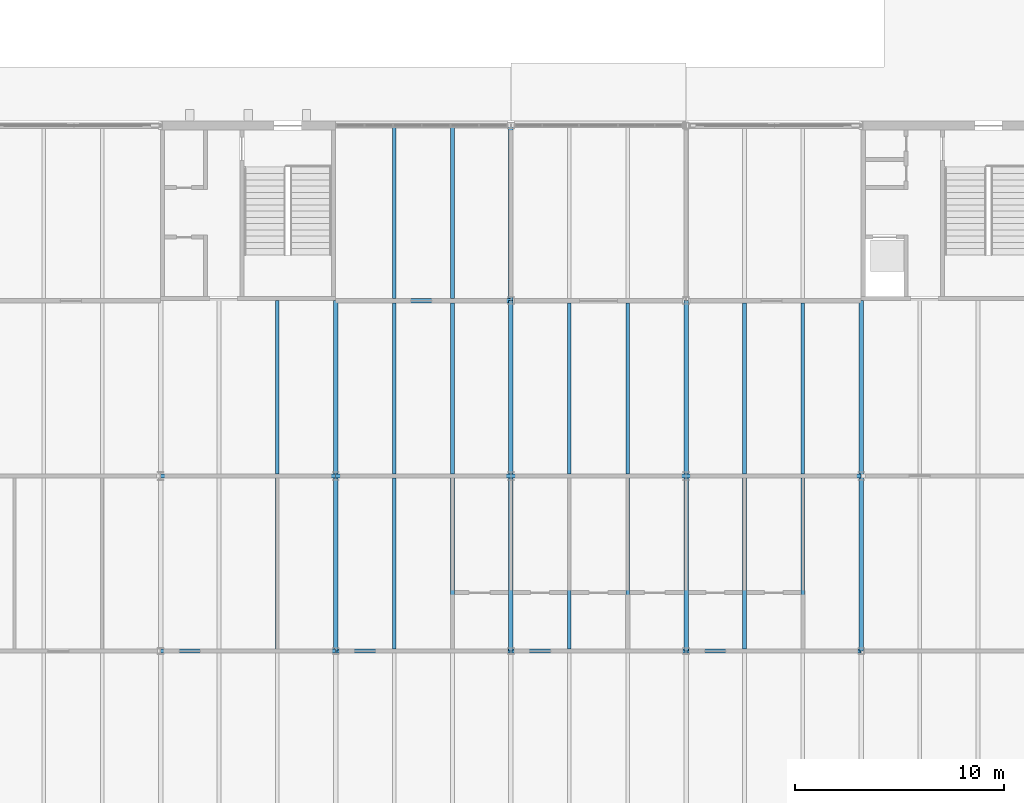
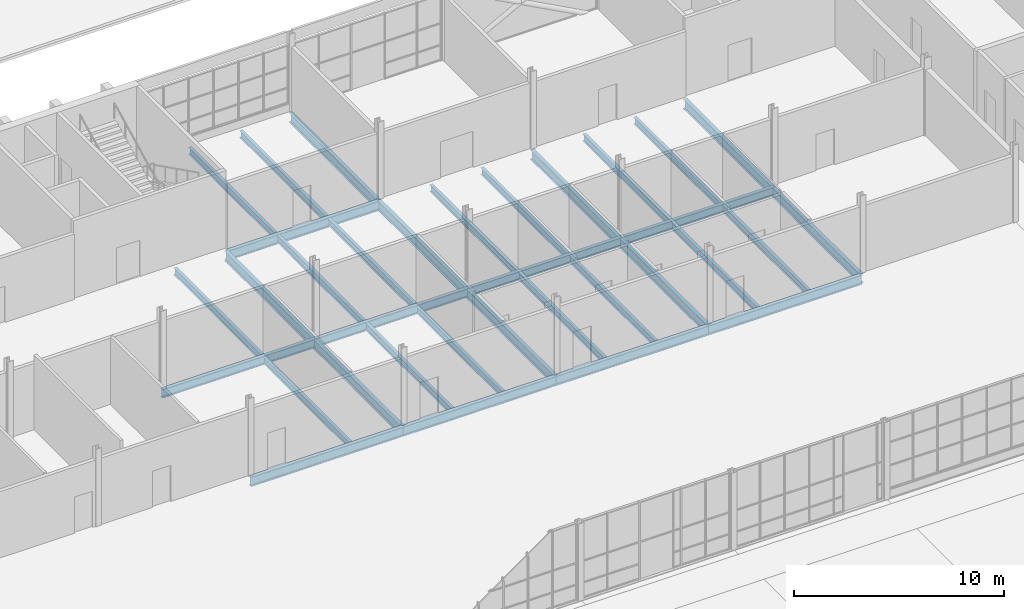
# One storey, part 57 of 116: 34 beams.
"""IFC4 building model written with IfcOpenShell, lengths in metres."""

from ifc_helpers import new_model, si_unit, direction, frame, origin, origin_2d, place, context, subcontext, project, spatial, i_section, extrude, material, material_profile, profile_set, type_object, element, save


model = new_model("IFC4")

# Units and contexts
model_context = context("Model", 3, precision=1e-05, world=origin(), true_north=direction((0.0, 1.0)))
body_context = subcontext(model_context, "Body", "Model", "MODEL_VIEW")
ifc_project = project(units=[si_unit("LENGTHUNIT", "METRE"), si_unit("AREAUNIT", "SQUARE_METRE"), si_unit("VOLUMEUNIT", "CUBIC_METRE"), si_unit("PLANEANGLEUNIT", "RADIAN"), si_unit("MASSUNIT", "GRAM", prefix="KILO")], contexts=[model_context])

# Site, building, storey
site_placement = place(None, origin())
site = spatial("IfcSite", under=ifc_project, at=site_placement, CompositionType="ELEMENT")
building_placement = place(site_placement, origin())
building = spatial("IfcBuilding", under=site, at=building_placement, Name="Ardhachandra Cancer Care Centre", CompositionType="ELEMENT")
storey_placement = place(building_placement, origin())
storey = spatial("IfcBuildingStorey", under=building, at=storey_placement, Name="L00", CompositionType="ELEMENT", Elevation=0.0)

# Beams
ifc_material_1 = material(Name="Steel E350 (IS 2062)", Category="steel")
ifc_material_profile_1 = material_profile(ifc_material_1, i_section(OverallWidth=0.179931640625, OverallDepth=0.39990234375, WebThickness=0.008544921875, FlangeThickness=0.013427734375, FilletRadius=0.02099609375, at=origin_2d()), Name="NPB 400x180x66.30")
ifc_profile_set_1 = profile_set([ifc_material_profile_1], Name="Steel E350 (IS 2062)")
beam_type_1 = type_object("IfcBeamType", Name="Beam NPB 400x180x66.30", PredefinedType="BEAM", material=ifc_profile_set_1)
beam_1_placement = place(storey_placement, frame((75.199951171875, 71.5048828125, -0.35009765625), z_axis=(0.0, 1.0, 0.0), x_axis=(-1.0, 0.0, 0.0)))
element("IfcBeam", 1, at=beam_1_placement, inside=storey, type_object=beam_type_1, Name="Secondary H8-J8@5600", PredefinedType="BEAM", context=body_context, shape_type="SweptSolid", body=[
    extrude(i_section(OverallWidth=0.179931640625, OverallDepth=0.39990234375, WebThickness=0.008544921875, FlangeThickness=0.013427734375, FilletRadius=0.02099609375, at=origin_2d()), origin(), (0.0, 0.0, 1.0), 8.195068359375),
])
beam_2_placement = place(storey_placement, frame((75.199951171875, 79.89990234375, -0.35009765625), z_axis=(0.0, 1.0, 0.0), x_axis=(-1.0, 0.0, 0.0)))
element("IfcBeam", 2, at=beam_2_placement, inside=storey, type_object=beam_type_1, Name="Secondary J8-K8@5600", PredefinedType="BEAM", context=body_context, shape_type="SweptSolid", body=[
    extrude(i_section(OverallWidth=0.179931640625, OverallDepth=0.39990234375, WebThickness=0.008544921875, FlangeThickness=0.013427734375, FilletRadius=0.02099609375, at=origin_2d()), origin(), (0.0, 0.0, 1.0), 8.300048828125),
])
for number, where, z_axis, x_axis, name in (
    (3, (80.800048828125, 71.5048828125, -0.35009765625), (0.0, 1.0, 0.0), (-1.0, 0.0, 0.0), "Secondary H9-J9@2800"),
    (4, (80.800048828125, 79.89990234375, -0.35009765625), (0.0, 1.0, 0.0), (-1.0, 0.0, 0.0), "Secondary J9-K9@2800"),
    (5, (80.800048828125, 88.304931640625, -0.35009765625), (0.0, 1.0, 0.0), (-1.0, 0.0, 0.0), "Secondary K9-L9@2800"),
    (6, (83.60009765625, 71.5048828125, -0.35009765625), (0.0, 1.0, 0.0), (-1.0, 0.0, 0.0), "Secondary H9-J9@5600"),
    (7, (83.60009765625, 79.89990234375, -0.35009765625), (0.0, 1.0, 0.0), (-1.0, 0.0, 0.0), "Secondary J9-K9@5600"),
    (8, (83.60009765625, 88.304931640625, -0.35009765625), (0.0, 1.0, 0.0), (-1.0, 0.0, 0.0), "Secondary K9-L9@5600"),
    (9, (89.199951171875, 71.5048828125, -0.35009765625), (0.0, 1.0, 0.0), (-1.0, 0.0, 0.0), "Secondary H10-J10@2800"),
    (10, (89.199951171875, 79.89990234375, -0.35009765625), (0.0, 1.0, 0.0), (-1.0, 0.0, 0.0), "Secondary J10-K10@2800"),
    (11, (92.0, 71.5048828125, -0.35009765625), (0.0, 1.0, 0.0), (-1.0, 0.0, 0.0), "Secondary H10-J10@5600"),
    (12, (92.0, 79.89990234375, -0.35009765625), (0.0, 1.0, 0.0), (-1.0, 0.0, 0.0), "Secondary J10-K10@5600"),
    (13, (97.60009765625, 71.5048828125, -0.35009765625), (0.0, 1.0, 0.0), (-1.0, 0.0, 0.0), "Secondary H11-J11@2800"),
    (14, (97.60009765625, 79.89990234375, -0.35009765625), (0.0, 1.0, 0.0), (-1.0, 0.0, 0.0), "Secondary J11-K11@2800"),
    (15, (100.39990234375, 71.5048828125, -0.35009765625), (0.0, 1.0, 0.0), (-1.0, 0.0, 0.0), "Secondary H11-J11@5600"),
    (16, (100.39990234375, 79.89990234375, -0.35009765625), (0.0, 1.0, 0.0), (-1.0, 0.0, 0.0), "Secondary J11-K11@5600"),
):
    element("IfcBeam", number, at=place(storey_placement, frame(where, z_axis=z_axis, x_axis=x_axis)), inside=storey, type_object=beam_type_1, Name=name, PredefinedType="BEAM", context=body_context, shape_type="SweptSolid", body=[
        extrude(i_section(OverallWidth=0.179931640625, OverallDepth=0.39990234375, WebThickness=0.008544921875, FlangeThickness=0.013427734375, FilletRadius=0.02099609375, at=origin_2d()), origin(), (0.0, 0.0, 1.0), 8.195068359375),
    ])
ifc_material_2 = material(Name="Steel E350 (IS 2062)", Category="steel")
ifc_material_profile_2 = material_profile(ifc_material_2, i_section(OverallWidth=0.199951171875, OverallDepth=0.5, WebThickness=0.01025390625, FlangeThickness=0.01611328125, FilletRadius=0.02099609375, at=origin_2d()), Name="NPB 500x200x90.68")
ifc_profile_set_2 = profile_set([ifc_material_profile_2], Name="Steel E350 (IS 2062)")
beam_type_2 = type_object("IfcBeamType", Name="Beam NPB 500x200x90.68", PredefinedType="BEAM", material=ifc_profile_set_2)
for number, where, z_axis, x_axis, name in (
    (17, (69.60009765625, 79.800048828125, -0.39990234375), (1.0, 0.0, 0.0), (0.0, 1.0, 0.0), "Edge girder J8-J9"),
    (18, (78.0, 79.800048828125, -0.39990234375), (1.0, 0.0, 0.0), (0.0, 1.0, 0.0), "Edge girder J9-J10"),
):
    element("IfcBeam", number, at=place(storey_placement, frame(where, z_axis=z_axis, x_axis=x_axis)), inside=storey, type_object=beam_type_2, Name=name, PredefinedType="BEAM", context=body_context, shape_type="SweptSolid", body=[
        extrude(i_section(OverallWidth=0.199951171875, OverallDepth=0.5, WebThickness=0.01025390625, FlangeThickness=0.01611328125, FilletRadius=0.02099609375, at=origin_2d()), origin(), (0.0, 0.0, 1.0), 8.39990234375),
    ])
beam_3_placement = place(storey_placement, frame((86.39990234375, 79.800048828125, -0.39990234375), z_axis=(1.0, 0.0, 0.0), x_axis=(0.0, 1.0, 0.0)))
element("IfcBeam", 19, at=beam_3_placement, inside=storey, type_object=beam_type_2, Name="Edge girder J10-J11", PredefinedType="BEAM", context=body_context, shape_type="SweptSolid", body=[
    extrude(i_section(OverallWidth=0.199951171875, OverallDepth=0.5, WebThickness=0.01025390625, FlangeThickness=0.01611328125, FilletRadius=0.02099609375, at=origin_2d()), origin(), (0.0, 0.0, 1.0), 8.400146484375),
])
beam_4_placement = place(storey_placement, frame((94.800048828125, 79.800048828125, -0.39990234375), z_axis=(1.0, 0.0, 0.0), x_axis=(0.0, 1.0, 0.0)))
element("IfcBeam", 20, at=beam_4_placement, inside=storey, type_object=beam_type_2, Name="Edge girder J11-J12", PredefinedType="BEAM", context=body_context, shape_type="SweptSolid", body=[
    extrude(i_section(OverallWidth=0.199951171875, OverallDepth=0.5, WebThickness=0.01025390625, FlangeThickness=0.01611328125, FilletRadius=0.02099609375, at=origin_2d()), origin(), (0.0, 0.0, 1.0), 8.39990234375),
])
ifc_material_3 = material(Name="Steel E350 (IS 2062)", Category="steel")
ifc_material_profile_3 = material_profile(ifc_material_3, i_section(OverallWidth=0.2099609375, OverallDepth=0.550048828125, WebThickness=0.010986328125, FlangeThickness=0.01708984375, FilletRadius=0.02392578125, at=origin_2d()), Name="NPB 550x210x105.52")
ifc_profile_set_3 = profile_set([ifc_material_profile_3], Name="Steel E350 (IS 2062)")
beam_type_3 = type_object("IfcBeamType", Name="Beam NPB 550x210x105.52", PredefinedType="BEAM", material=ifc_profile_set_3)
for number, where, z_axis, x_axis, name in (
    (21, (69.60009765625, 71.39990234375, -0.425048828125), (1.0, 0.0, 0.0), (0.0, 1.0, 0.0), "Girder H8-H9"),
    (22, (78.0, 71.39990234375, -0.425048828125), (1.0, 0.0, 0.0), (0.0, 1.0, 0.0), "Girder H9-H10"),
):
    element("IfcBeam", number, at=place(storey_placement, frame(where, z_axis=z_axis, x_axis=x_axis)), inside=storey, type_object=beam_type_3, Name=name, PredefinedType="BEAM", context=body_context, shape_type="SweptSolid", body=[
        extrude(i_section(OverallWidth=0.2099609375, OverallDepth=0.550048828125, WebThickness=0.010986328125, FlangeThickness=0.01708984375, FilletRadius=0.02392578125, at=origin_2d()), origin(), (0.0, 0.0, 1.0), 8.39990234375),
    ])
beam_5_placement = place(storey_placement, frame((86.39990234375, 71.39990234375, -0.425048828125), z_axis=(1.0, 0.0, 0.0), x_axis=(0.0, 1.0, 0.0)))
element("IfcBeam", 23, at=beam_5_placement, inside=storey, type_object=beam_type_3, Name="Girder H10-H11", PredefinedType="BEAM", context=body_context, shape_type="SweptSolid", body=[
    extrude(i_section(OverallWidth=0.2099609375, OverallDepth=0.550048828125, WebThickness=0.010986328125, FlangeThickness=0.01708984375, FilletRadius=0.02392578125, at=origin_2d()), origin(), (0.0, 0.0, 1.0), 8.400146484375),
])
for number, where, z_axis, x_axis, name in (
    (24, (94.800048828125, 71.39990234375, -0.425048828125), (1.0, 0.0, 0.0), (0.0, 1.0, 0.0), "Girder H11-H12"),
    (25, (78.0, 88.199951171875, -0.425048828125), (1.0, 0.0, 0.0), (0.0, 1.0, 0.0), "Girder K9-K10"),
):
    element("IfcBeam", number, at=place(storey_placement, frame(where, z_axis=z_axis, x_axis=x_axis)), inside=storey, type_object=beam_type_3, Name=name, PredefinedType="BEAM", context=body_context, shape_type="SweptSolid", body=[
        extrude(i_section(OverallWidth=0.2099609375, OverallDepth=0.550048828125, WebThickness=0.010986328125, FlangeThickness=0.01708984375, FilletRadius=0.02392578125, at=origin_2d()), origin(), (0.0, 0.0, 1.0), 8.39990234375),
    ])
beam_6_placement = place(storey_placement, frame((78.0, 71.39990234375, -0.425048828125), z_axis=(0.0, 1.0, 0.0), x_axis=(-1.0, 0.0, 0.0)))
element("IfcBeam", 26, at=beam_6_placement, inside=storey, type_object=beam_type_3, Name="Girder H9-J9", PredefinedType="BEAM", context=body_context, shape_type="SweptSolid", body=[
    extrude(i_section(OverallWidth=0.2099609375, OverallDepth=0.550048828125, WebThickness=0.010986328125, FlangeThickness=0.01708984375, FilletRadius=0.02392578125, at=origin_2d()), origin(), (0.0, 0.0, 1.0), 8.400146484375),
])
beam_7_placement = place(storey_placement, frame((78.0, 79.800048828125, -0.425048828125), z_axis=(0.0, 1.0, 0.0), x_axis=(-1.0, 0.0, 0.0)))
element("IfcBeam", 27, at=beam_7_placement, inside=storey, type_object=beam_type_3, Name="Girder J9-K9", PredefinedType="BEAM", context=body_context, shape_type="SweptSolid", body=[
    extrude(i_section(OverallWidth=0.2099609375, OverallDepth=0.550048828125, WebThickness=0.010986328125, FlangeThickness=0.01708984375, FilletRadius=0.02392578125, at=origin_2d()), origin(), (0.0, 0.0, 1.0), 8.39990234375),
])
beam_8_placement = place(storey_placement, frame((86.39990234375, 71.39990234375, -0.425048828125), z_axis=(0.0, 1.0, 0.0), x_axis=(-1.0, 0.0, 0.0)))
element("IfcBeam", 28, at=beam_8_placement, inside=storey, type_object=beam_type_3, Name="Girder H10-J10", PredefinedType="BEAM", context=body_context, shape_type="SweptSolid", body=[
    extrude(i_section(OverallWidth=0.2099609375, OverallDepth=0.550048828125, WebThickness=0.010986328125, FlangeThickness=0.01708984375, FilletRadius=0.02392578125, at=origin_2d()), origin(), (0.0, 0.0, 1.0), 8.400146484375),
])
beam_9_placement = place(storey_placement, frame((86.39990234375, 79.800048828125, -0.425048828125), z_axis=(0.0, 1.0, 0.0), x_axis=(-1.0, 0.0, 0.0)))
element("IfcBeam", 29, at=beam_9_placement, inside=storey, type_object=beam_type_3, Name="Girder J10-K10", PredefinedType="BEAM", context=body_context, shape_type="SweptSolid", body=[
    extrude(i_section(OverallWidth=0.2099609375, OverallDepth=0.550048828125, WebThickness=0.010986328125, FlangeThickness=0.01708984375, FilletRadius=0.02392578125, at=origin_2d()), origin(), (0.0, 0.0, 1.0), 8.39990234375),
])
for number, where, z_axis, x_axis, name in (
    (30, (86.39990234375, 88.199951171875, -0.425048828125), (0.0, 1.0, 0.0), (-1.0, 0.0, 0.0), "Girder K10-L10"),
    (31, (94.800048828125, 71.39990234375, -0.425048828125), (0.0, 1.0, 0.0), (-1.0, 0.0, 0.0), "Girder H11-J11"),
):
    element("IfcBeam", number, at=place(storey_placement, frame(where, z_axis=z_axis, x_axis=x_axis)), inside=storey, type_object=beam_type_3, Name=name, PredefinedType="BEAM", context=body_context, shape_type="SweptSolid", body=[
        extrude(i_section(OverallWidth=0.2099609375, OverallDepth=0.550048828125, WebThickness=0.010986328125, FlangeThickness=0.01708984375, FilletRadius=0.02392578125, at=origin_2d()), origin(), (0.0, 0.0, 1.0), 8.400146484375),
    ])
beam_10_placement = place(storey_placement, frame((94.800048828125, 79.800048828125, -0.425048828125), z_axis=(0.0, 1.0, 0.0), x_axis=(-1.0, 0.0, 0.0)))
element("IfcBeam", 32, at=beam_10_placement, inside=storey, type_object=beam_type_3, Name="Girder J11-K11", PredefinedType="BEAM", context=body_context, shape_type="SweptSolid", body=[
    extrude(i_section(OverallWidth=0.2099609375, OverallDepth=0.550048828125, WebThickness=0.010986328125, FlangeThickness=0.01708984375, FilletRadius=0.02392578125, at=origin_2d()), origin(), (0.0, 0.0, 1.0), 8.39990234375),
])
beam_11_placement = place(storey_placement, frame((103.199951171875, 71.39990234375, -0.425048828125), z_axis=(0.0, 1.0, 0.0), x_axis=(-1.0, 0.0, 0.0)))
element("IfcBeam", 33, at=beam_11_placement, inside=storey, type_object=beam_type_3, Name="Girder H12-J12", PredefinedType="BEAM", context=body_context, shape_type="SweptSolid", body=[
    extrude(i_section(OverallWidth=0.2099609375, OverallDepth=0.550048828125, WebThickness=0.010986328125, FlangeThickness=0.01708984375, FilletRadius=0.02392578125, at=origin_2d()), origin(), (0.0, 0.0, 1.0), 8.400146484375),
])
beam_12_placement = place(storey_placement, frame((103.199951171875, 79.800048828125, -0.425048828125), z_axis=(0.0, 1.0, 0.0), x_axis=(-1.0, 0.0, 0.0)))
element("IfcBeam", 34, at=beam_12_placement, inside=storey, type_object=beam_type_3, Name="Girder J12-K12", PredefinedType="BEAM", context=body_context, shape_type="SweptSolid", body=[
    extrude(i_section(OverallWidth=0.2099609375, OverallDepth=0.550048828125, WebThickness=0.010986328125, FlangeThickness=0.01708984375, FilletRadius=0.02392578125, at=origin_2d()), origin(), (0.0, 0.0, 1.0), 8.39990234375),
])

save(model, "model.ifc")
